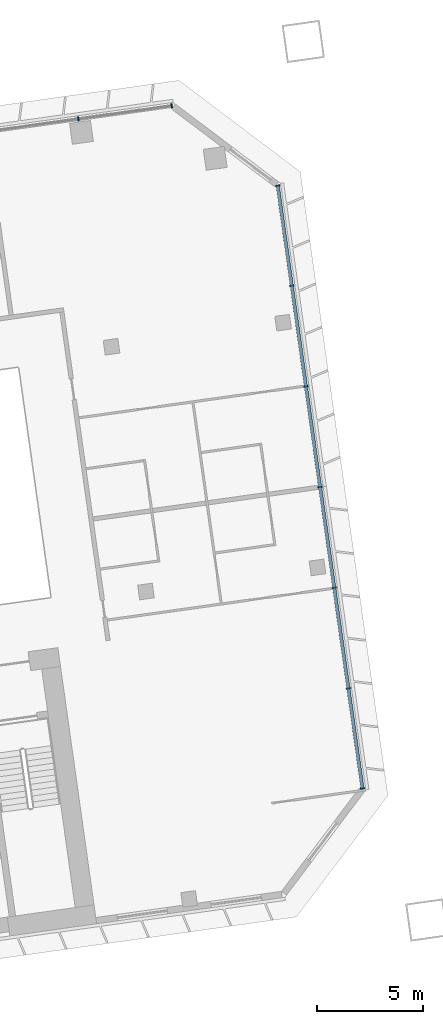
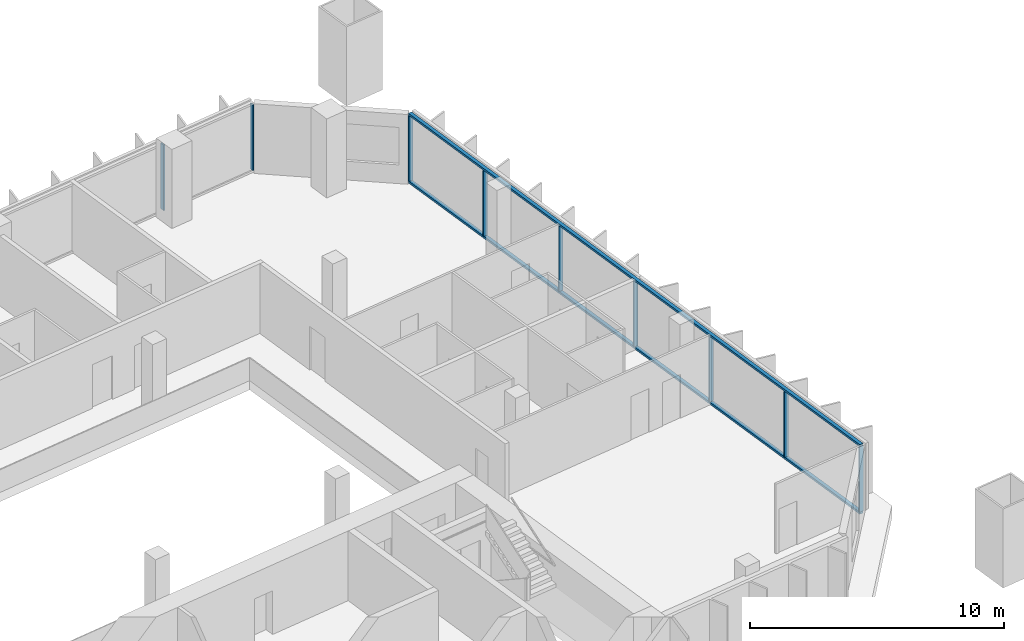
# One storey, part 11 of 24: 11 members, 2 elements without a shape of their own.
"""IFC4 building model written with IfcOpenShell, lengths in metres."""

from ifc_helpers import new_model, si_unit, direction, frame, origin, origin_2d, place, context, subcontext, project, spatial, rectangle, extrude, material, material_profile, profile_set, type_object, element, aggregate, save


model = new_model("IFC4")

# Units and contexts
model_context = context("Model", 3, precision=1e-05, world=origin(), true_north=direction((0.0, 1.0)))
body_context = subcontext(model_context, "Body", "Model", "MODEL_VIEW")
ifc_project = project(units=[si_unit("LENGTHUNIT", "METRE"), si_unit("AREAUNIT", "SQUARE_METRE"), si_unit("VOLUMEUNIT", "CUBIC_METRE"), si_unit("PLANEANGLEUNIT", "RADIAN"), si_unit("MASSUNIT", "GRAM", prefix="KILO")], contexts=[model_context])

# Site, building, storey
site_placement = place(None, origin())
site = spatial("IfcSite", under=ifc_project, at=site_placement, CompositionType="ELEMENT")
building_placement = place(site_placement, origin())
building = spatial("IfcBuilding", under=site, at=building_placement, Name="Mirante Cascada Hotel Towers", CompositionType="ELEMENT")
storey_placement = place(building_placement, frame((0.0, 0.0, 43.3)))
storey = spatial("IfcBuildingStorey", under=building, at=storey_placement, Name="L07", CompositionType="ELEMENT", Elevation=43.3)

# Curtain wall, members
ifc_material_1 = material(Name="Aluminium mullion and transom frame with clear laminated glass", Category="aluminium")
curtain_wall_type_1 = type_object("IfcCurtainWallType", Name="Ribbon curtain wall ECW1", PredefinedType="NOTDEFINED", material=ifc_material_1)
curtain_wall_1_placement = place(storey_placement, origin())
curtain_wall_1 = element("IfcCurtainWall", 1, at=curtain_wall_1_placement, inside=storey, type_object=curtain_wall_type_1, Name="Front ribbon wall T2 L07", PredefinedType="NOTDEFINED")
ifc_material_2 = material(Name="Anodised aluminium extrusion", Category="aluminium")
ifc_material_profile_1 = material_profile(ifc_material_2, rectangle(XDim=0.2, YDim=0.065, at=origin_2d()), Name="ECW1 MULLION 65x200")
ifc_profile_set_1 = profile_set([ifc_material_profile_1], Name="Anodised aluminium extrusion")
member_type_1 = type_object("IfcMemberType", Name="ECW1 mullion 65x200", PredefinedType="MULLION", material=ifc_profile_set_1)
member_1_placement = place(storey_placement, frame((94.126, 26.0476, 0.1), z_axis=(0.0, 0.0, 1.0), x_axis=(0.1391731, -0.9902681, 0.0)))
member_1 = element("IfcMember", 2, at=member_1_placement, type_object=member_type_1, Name="ECW1 mullion 1", PredefinedType="MULLION", context=body_context, shape_type="SweptSolid", body=[
    extrude(rectangle(XDim=0.2, YDim=0.065, at=origin_2d()), origin(), (0.0, 0.0, 1.0), 3.15),
])
member_2_placement = place(storey_placement, frame((89.7107, 25.427, 0.1), z_axis=(0.0, 0.0, 1.0), x_axis=(0.1391731, -0.9902681, 0.0)))
member_2 = element("IfcMember", 3, at=member_2_placement, type_object=member_type_1, Name="ECW1 mullion 2", PredefinedType="MULLION", context=body_context, shape_type="SweptSolid", body=[
    extrude(rectangle(XDim=0.2, YDim=0.065, at=origin_2d()), origin(), (0.0, 0.0, 1.0), 3.15),
])
aggregate(curtain_wall_1, [member_1, member_2])

ifc_material_3 = material(Name="Aluminium mullion and transom frame with clear laminated glass", Category="aluminium")
curtain_wall_type_2 = type_object("IfcCurtainWallType", Name="End ribbon curtain wall ECW2", PredefinedType="NOTDEFINED", material=ifc_material_3)
curtain_wall_2_placement = place(storey_placement, origin())
curtain_wall_2 = element("IfcCurtainWall", 4, at=curtain_wall_2_placement, inside=storey, type_object=curtain_wall_type_2, Name="Outer end wall T2 L07", PredefinedType="NOTDEFINED")
ifc_material_4 = material(Name="Anodised aluminium extrusion", Category="aluminium")
ifc_material_profile_2 = material_profile(ifc_material_4, rectangle(XDim=0.2, YDim=0.065, at=origin_2d()), Name="ECW2 MULLION 65x200")
ifc_profile_set_2 = profile_set([ifc_material_profile_2], Name="Anodised aluminium extrusion")
member_type_2 = type_object("IfcMemberType", Name="ECW2 mullion 65x200", PredefinedType="MULLION", material=ifc_profile_set_2)
member_3_placement = place(storey_placement, frame((103.1556, -6.2656, 0.1), z_axis=(0.0, 0.0, 1.0), x_axis=(-0.9902681, -0.1391731, 0.0)))
member_3 = element("IfcMember", 5, at=member_3_placement, type_object=member_type_2, Name="ECW2 mullion 1", PredefinedType="MULLION", context=body_context, shape_type="SweptSolid", body=[
    extrude(rectangle(XDim=0.2, YDim=0.065, at=origin_2d()), origin(), (0.0, 0.0, 1.0), 3.15),
])
member_4_placement = place(storey_placement, frame((102.4903, -1.532, 0.1), z_axis=(0.0, 0.0, 1.0), x_axis=(-0.9902681, -0.1391731, 0.0)))
member_4 = element("IfcMember", 6, at=member_4_placement, type_object=member_type_2, Name="ECW2 mullion 2", PredefinedType="MULLION", context=body_context, shape_type="SweptSolid", body=[
    extrude(rectangle(XDim=0.2, YDim=0.065, at=origin_2d()), origin(), (0.0, 0.0, 1.0), 3.15),
])
member_5_placement = place(storey_placement, frame((101.8205, 3.2338, 0.1), z_axis=(0.0, 0.0, 1.0), x_axis=(-0.9902681, -0.1391731, 0.0)))
member_5 = element("IfcMember", 7, at=member_5_placement, type_object=member_type_2, Name="ECW2 mullion 3", PredefinedType="MULLION", context=body_context, shape_type="SweptSolid", body=[
    extrude(rectangle(XDim=0.2, YDim=0.065, at=origin_2d()), origin(), (0.0, 0.0, 1.0), 3.15),
])
member_6_placement = place(storey_placement, frame((101.1508, 7.9996, 0.1), z_axis=(0.0, 0.0, 1.0), x_axis=(-0.9902681, -0.1391731, 0.0)))
member_6 = element("IfcMember", 8, at=member_6_placement, type_object=member_type_2, Name="ECW2 mullion 4", PredefinedType="MULLION", context=body_context, shape_type="SweptSolid", body=[
    extrude(rectangle(XDim=0.2, YDim=0.065, at=origin_2d()), origin(), (0.0, 0.0, 1.0), 3.15),
])
member_7_placement = place(storey_placement, frame((100.481, 12.7654, 0.1), z_axis=(0.0, 0.0, 1.0), x_axis=(-0.9902681, -0.1391731, 0.0)))
member_7 = element("IfcMember", 9, at=member_7_placement, type_object=member_type_2, Name="ECW2 mullion 5", PredefinedType="MULLION", context=body_context, shape_type="SweptSolid", body=[
    extrude(rectangle(XDim=0.2, YDim=0.065, at=origin_2d()), origin(), (0.0, 0.0, 1.0), 3.15),
])
member_8_placement = place(storey_placement, frame((99.8112, 17.5312, 0.1), z_axis=(0.0, 0.0, 1.0), x_axis=(-0.9902681, -0.1391731, 0.0)))
member_8 = element("IfcMember", 10, at=member_8_placement, type_object=member_type_2, Name="ECW2 mullion 6", PredefinedType="MULLION", context=body_context, shape_type="SweptSolid", body=[
    extrude(rectangle(XDim=0.2, YDim=0.065, at=origin_2d()), origin(), (0.0, 0.0, 1.0), 3.15),
])
member_9_placement = place(storey_placement, frame((99.1459, 22.2648, 0.1), z_axis=(0.0, 0.0, 1.0), x_axis=(-0.9902681, -0.1391731, 0.0)))
member_9 = element("IfcMember", 11, at=member_9_placement, type_object=member_type_2, Name="ECW2 mullion 7", PredefinedType="MULLION", context=body_context, shape_type="SweptSolid", body=[
    extrude(rectangle(XDim=0.2, YDim=0.065, at=origin_2d()), origin(), (0.0, 0.0, 1.0), 3.15),
])
ifc_material_5 = material(Name="Anodised aluminium extrusion", Category="aluminium")
ifc_material_profile_3 = material_profile(ifc_material_5, rectangle(XDim=0.16, YDim=0.1, at=origin_2d()), Name="ECW2 TRANSOM 100x160")
ifc_profile_set_3 = profile_set([ifc_material_profile_3], Name="Anodised aluminium extrusion")
member_type_3 = type_object("IfcMemberType", Name="ECW2 transom 100x160", PredefinedType="USERDEFINED", material=ifc_profile_set_3)
member_10_placement = place(storey_placement, frame((103.1601, -6.2978, 0.05), z_axis=(-0.1391723, 0.9902682, 0.0), x_axis=(-0.9902682, -0.1391723, 0.0)))
member_10 = element("IfcMember", 12, at=member_10_placement, type_object=member_type_3, Name="ECW2 sill transom", ObjectType="TRANSOM", PredefinedType="USERDEFINED", context=body_context, shape_type="SweptSolid", body=[
    extrude(rectangle(XDim=0.16, YDim=0.1, at=origin_2d()), origin(), (0.0, 0.0, 1.0), 28.8757),
])
member_11_placement = place(storey_placement, frame((103.1601, -6.2978, 3.3), z_axis=(-0.1391723, 0.9902682, 0.0), x_axis=(-0.9902682, -0.1391723, 0.0)))
member_11 = element("IfcMember", 13, at=member_11_placement, type_object=member_type_3, Name="ECW2 head transom", ObjectType="TRANSOM", PredefinedType="USERDEFINED", context=body_context, shape_type="SweptSolid", body=[
    extrude(rectangle(XDim=0.16, YDim=0.1, at=origin_2d()), origin(), (0.0, 0.0, 1.0), 28.8757),
])
aggregate(curtain_wall_2, [member_10, member_11, member_3, member_4, member_5, member_6, member_7, member_8, member_9])

save(model, "model.ifc")
